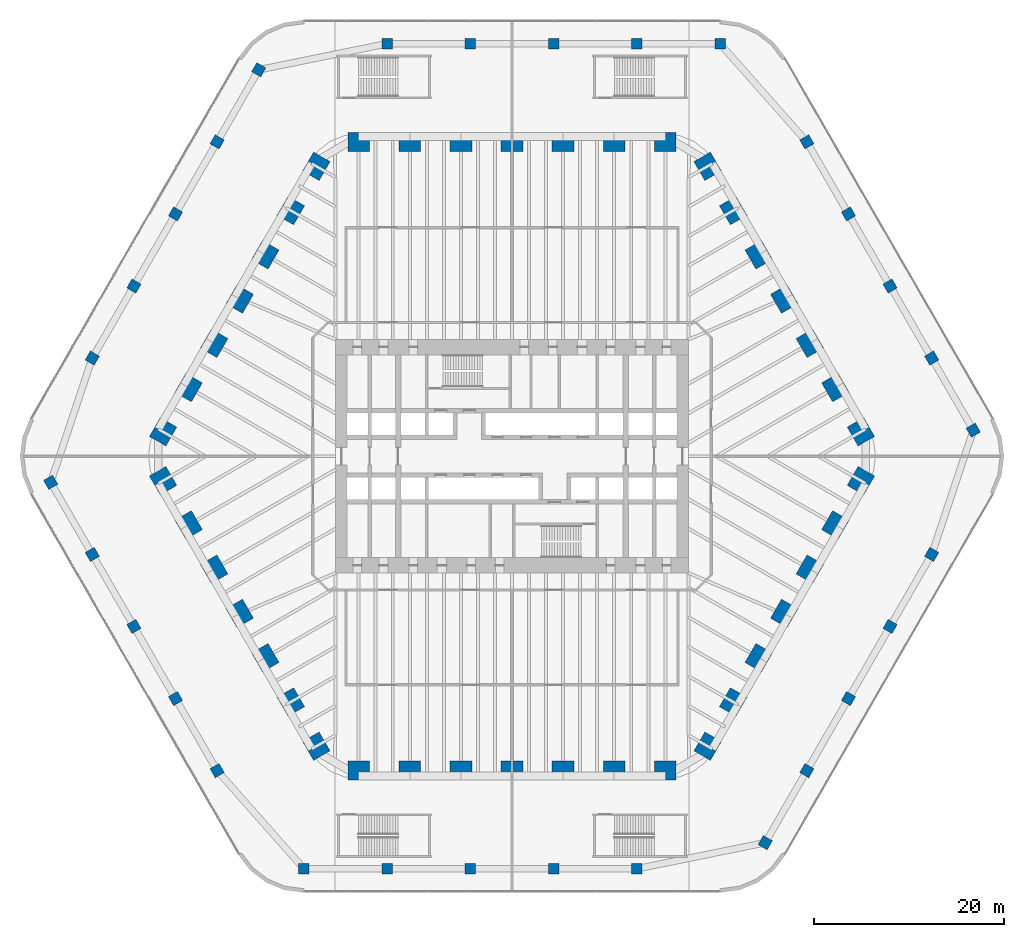
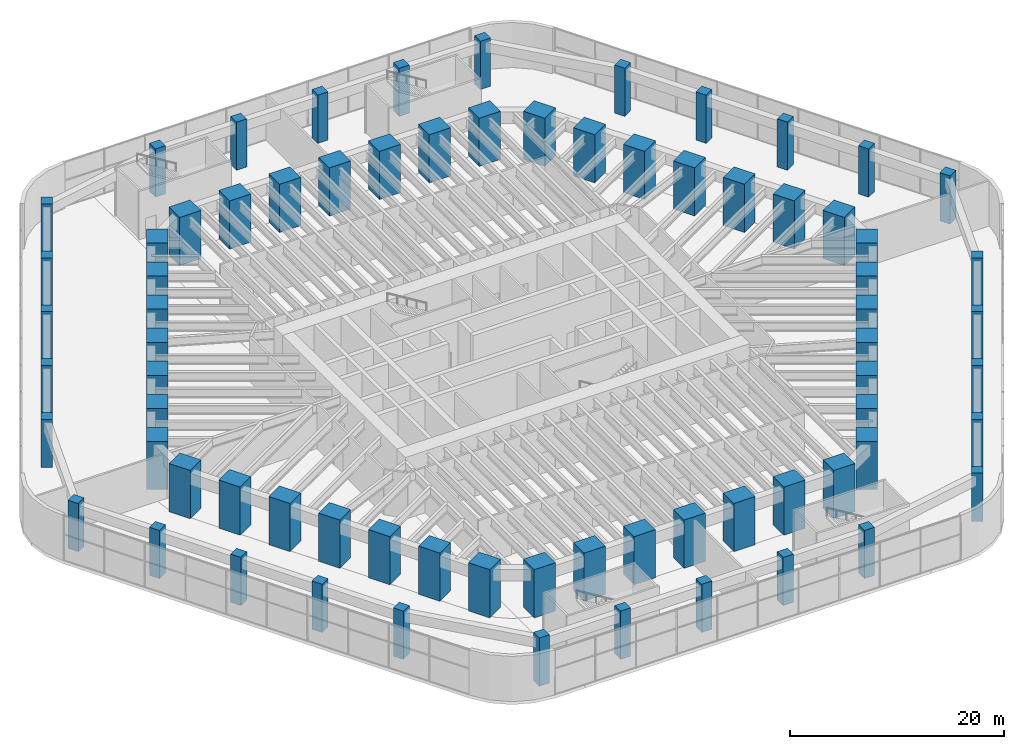
# One storey, part 1 of 31: 72 columns.
"""IFC4 building model written with IfcOpenShell, lengths in metres."""

import ifcopenshell
import ifcopenshell.guid

model = None  # the IFC model being written
_history = None  # IfcOwnerHistory: only IFC2X3 demands one
_inside = {}  # id of a spatial element -> (the spatial element, [elements in it])
_under = {}  # id of a project, library or spatial element -> (it, [spatial elements below it])
_declared = {}  # id of a project -> (the project, [libraries it declares])
_typed = {}  # id of a type object -> (the type object, [elements of that type])
_made_of = {}  # id of a material, layer set ... -> (it, [elements and type objects made of it])


def new_model(schema):
    """Start an empty IFC model of exactly this schema.

    Asked for "IFC4X3", IfcOpenShell would pick the latest addendum, in which some entities
    have other attributes; the version numbers below select the first issue.
    IFC2X3 requires an IfcOwnerHistory on every rooted entity: one is made here for all.
    """
    global model, _history
    if schema == "IFC4X3":
        model = ifcopenshell.file(schema_version=(4, 3, 0, 0))
    else:
        model = ifcopenshell.file(schema=schema)
    _inside.clear()
    _under.clear()
    _declared.clear()
    _typed.clear()
    _made_of.clear()
    _history = None
    if model.schema == "IFC2X3":
        org = make("IfcOrganization", Name="unknown")
        user = make(
            "IfcPersonAndOrganization",
            ThePerson=make("IfcPerson", FamilyName="unknown"),
            TheOrganization=org,
        )
        app = make(
            "IfcApplication",
            ApplicationDeveloper=org,
            Version="unknown",
            ApplicationFullName="unknown",
            ApplicationIdentifier="unknown",
        )
        _history = make(
            "IfcOwnerHistory",
            OwningUser=user,
            OwningApplication=app,
            ChangeAction="ADDED",
            CreationDate=0,
        )
    return model


def make(cls, **values):
    """One entity of the class cls with the attributes given. An attribute that is None is left unset."""
    return model.create_entity(
        cls, **{name: value for name, value in values.items() if value is not None}
    )


def rooted(cls, **values):
    """An entity with a GlobalId (a new one), such as an element, a storey or a relation."""
    return make(cls, GlobalId=ifcopenshell.guid.new(), OwnerHistory=_history, **values)


def si_unit(unit_type, name, prefix=None):
    """IfcSIUnit, for example si_unit("LENGTHUNIT", "METRE", prefix="MILLI")."""
    return make("IfcSIUnit", UnitType=unit_type, Prefix=prefix, Name=name)


def assignment(units):
    """IfcUnitAssignment: the units of a project."""
    return None if units is None else make("IfcUnitAssignment", Units=units)


def point(xyz):
    """IfcCartesianPoint."""
    return None if xyz is None else make("IfcCartesianPoint", Coordinates=xyz)


def direction(xyz):
    """IfcDirection."""
    return None if xyz is None else make("IfcDirection", DirectionRatios=xyz)


def frame(location, z_axis=None, x_axis=None):
    """IfcAxis2Placement3D, a coordinate frame: its origin and axes. An axis left out is left unset."""
    return make(
        "IfcAxis2Placement3D",
        Location=point(location),
        Axis=direction(z_axis),
        RefDirection=direction(x_axis),
    )


def frame_2d(location, x_axis=None):
    """IfcAxis2Placement2D, a coordinate frame in the plane: its origin and x axis."""
    return make(
        "IfcAxis2Placement2D", Location=point(location), RefDirection=direction(x_axis)
    )


def origin():
    """The frame at (0, 0, 0) with its axes left unset."""
    return frame((0.0, 0.0, 0.0))


def origin_2d():
    """The frame at (0, 0) in the plane with its x axis left unset."""
    return frame_2d((0.0, 0.0))


def place(relative_to, where):
    """IfcLocalPlacement: puts the frame where relative to a parent placement (None: the world)."""
    return make(
        "IfcLocalPlacement", PlacementRelTo=relative_to, RelativePlacement=where
    )


def context(
    kind, dimensions, precision=None, world=None, true_north=None, identifier=None
):
    """IfcGeometricRepresentationContext, for example the 3D "Model" context."""
    return make(
        "IfcGeometricRepresentationContext",
        ContextIdentifier=identifier,
        ContextType=kind,
        CoordinateSpaceDimension=dimensions,
        Precision=precision,
        WorldCoordinateSystem=world,
        TrueNorth=true_north,
    )


def subcontext(parent, identifier, kind, view, scale=None):
    """IfcGeometricRepresentationSubContext, for example "Body" below "Model"."""
    return make(
        "IfcGeometricRepresentationSubContext",
        ContextIdentifier=identifier,
        ContextType=kind,
        ParentContext=parent,
        TargetScale=scale,
        TargetView=view,
    )


def project(units=None, contexts=None):
    """IfcProject with its units and contexts."""
    return rooted(
        "IfcProject",
        Name="project",
        RepresentationContexts=contexts,
        UnitsInContext=assignment(units),
    )


def spatial(cls, under=None, at=None, **own):
    """A site, building, storey or space (cls), placed at a placement, below another one or the project."""
    s = rooted(cls, ObjectPlacement=at, **own)
    if under is not None:
        _under.setdefault(under.id(), (under, []))[1].append(s)
    return s


def profile(cls, at=None, kind="AREA", **sizes):
    """A parametric profile (cls). Its sizes go by their IFC names, for example OverallWidth=200.0."""
    return make(cls, ProfileType=kind, Position=at, **sizes)


def rectangle(**sizes):
    """IfcRectangleProfileDef."""
    return profile("IfcRectangleProfileDef", **sizes)


def extrude(swept, where, along, depth):
    """IfcExtrudedAreaSolid: the profile swept, set in the frame where, extruded along a direction by depth."""
    return make(
        "IfcExtrudedAreaSolid",
        SweptArea=swept,
        Position=where,
        ExtrudedDirection=direction(along),
        Depth=depth,
    )


def shape(context_of_items, identifier, shape_type, items):
    """IfcShapeRepresentation: the items that make up one representation, for example the "Body"."""
    return make(
        "IfcShapeRepresentation",
        ContextOfItems=context_of_items,
        RepresentationIdentifier=identifier,
        RepresentationType=shape_type,
        Items=items,
    )


def material(Name=None, Category=None):
    """IfcMaterial."""
    return make("IfcMaterial", Name=Name, Category=Category)


def material_profile(
    of_material, cross_section, Name=None, Category=None, Priority=None
):
    """IfcMaterialProfile: a cross section and its material."""
    return make(
        "IfcMaterialProfile",
        Name=Name,
        Material=of_material,
        Profile=cross_section,
        Priority=Priority,
        Category=Category,
    )


def profile_set(profiles, Name=None, composite=None):
    """IfcMaterialProfileSet."""
    return make(
        "IfcMaterialProfileSet",
        Name=Name,
        MaterialProfiles=profiles,
        CompositeProfile=composite,
    )


def made_of(thing, what):
    """Note that an element or type object is made of a material, layer set ...; save() writes the relation."""
    if what is not None:
        _made_of.setdefault(what.id(), (what, []))[1].append(thing)
    return thing


def type_object(cls, material=None, **own):
    """A type object (cls), such as IfcWallType, which elements share."""
    return made_of(rooted(cls, **own), material)


def element(
    cls,
    number,
    at=None,
    inside=None,
    cuts=None,
    type_object=None,
    material=None,
    context=None,
    identifier="Body",
    shape_type=None,
    held_by="IfcProductDefinitionShape",
    body=None,
    shapes=None,
    **own,
):
    """One element of the class cls, such as IfcWall. Its Tag is "e" and its number.

    at: its placement. inside: the storey or other place that contains it. cuts: it is an
    opening in that element (IfcRelVoidsElement). A single representation is given by context,
    identifier, shape_type and body (its items); several are given by shapes. held_by: the class
    of the entity that holds the representations. save() writes the other relations.
    """
    e = rooted(cls, Tag="e%d" % number, ObjectPlacement=at, **own)
    if body is not None:
        shapes = [shape(context, identifier, shape_type, body)]
    if shapes is not None:
        e.Representation = make(held_by, Representations=shapes)
    if inside is not None:
        _inside.setdefault(inside.id(), (inside, []))[1].append(e)
    if cuts is not None:
        rooted(
            "IfcRelVoidsElement", RelatingBuildingElement=cuts, RelatedOpeningElement=e
        )
    if type_object is not None:
        _typed.setdefault(type_object.id(), (type_object, []))[1].append(e)
    return made_of(e, material)


def aggregate(whole, parts):
    """IfcRelAggregates: a whole, such as a stair, and the parts it consists of."""
    return rooted("IfcRelAggregates", RelatingObject=whole, RelatedObjects=parts)


def save(model, path):
    """Write the relations noted so far, then the file.

    IfcRelAggregates (storeys below a building ...), IfcRelContainedInSpatialStructure (elements
    in a storey), IfcRelDefinesByType, IfcRelAssociatesMaterial and IfcRelDeclares: one each for
    every whole, place, type object, material and project.
    """
    for whole, parts in _under.values():
        aggregate(whole, parts)
    for where, things in _inside.values():
        rooted(
            "IfcRelContainedInSpatialStructure",
            RelatedElements=things,
            RelatingStructure=where,
        )
    for kind, things in _typed.values():
        rooted("IfcRelDefinesByType", RelatedObjects=things, RelatingType=kind)
    for what, things in _made_of.values():
        rooted("IfcRelAssociatesMaterial", RelatedObjects=things, RelatingMaterial=what)
    for by, libraries in _declared.values():
        rooted("IfcRelDeclares", RelatingContext=by, RelatedDefinitions=libraries)
    model.write(path)


model = new_model("IFC4")

# Units and contexts
model_context = context("Model", 3, precision=1e-05, world=origin(), true_north=direction((0.0, 1.0)))
body_context = subcontext(model_context, "Body", "Model", "MODEL_VIEW")
ifc_project = project(units=[si_unit("LENGTHUNIT", "METRE"), si_unit("AREAUNIT", "SQUARE_METRE"), si_unit("VOLUMEUNIT", "CUBIC_METRE"), si_unit("PLANEANGLEUNIT", "RADIAN"), si_unit("MASSUNIT", "GRAM", prefix="KILO")], contexts=[model_context])

# Site, building, storey
site_placement = place(None, origin())
site = spatial("IfcSite", under=ifc_project, at=site_placement, CompositionType="ELEMENT")
building_placement = place(site_placement, origin())
building = spatial("IfcBuilding", under=site, at=building_placement, Name="Tarfa Lantern Tower", CompositionType="ELEMENT")
storey_placement = place(building_placement, frame((0.0, 0.0, 13.0)))
storey = spatial("IfcBuildingStorey", under=building, at=storey_placement, Name="L02", CompositionType="ELEMENT", Elevation=13.0)

# Columns
ifc_material = material(Name="Concrete C80/95", Category="concrete")
ifc_material_profile_1 = material_profile(ifc_material, rectangle(XDim=1.10009765625, YDim=1.10009765625, at=origin_2d()), Name="RC 1100x1100")
ifc_profile_set_1 = profile_set([ifc_material_profile_1], Name="Concrete C80/95")
column_type_1 = type_object("IfcColumnType", Name="PC2 RC 1100x1100", PredefinedType="COLUMN", material=ifc_profile_set_1)
for number, where, z_axis, x_axis, name in (
    (1, (48.641845703125, 2.75, 0.0), (0.0, 0.0, 1.0), (-0.5, 0.866025403784, 0.0), "Podium column NE0"),
    (2, (44.25390625, 10.35009765625, 0.0), (0.0, 0.0, 1.0), (-0.5, 0.866025403784, 0.0), "Podium column NE1"),
    (3, (39.865966796875, 17.949951171875, 0.0), (0.0, 0.0, 1.0), (-0.5, 0.866025403784, 0.0), "Podium column NE2"),
    (4, (35.478271484375, 25.550048828125, 0.0), (0.0, 0.0, 1.0), (-0.5, 0.866025403784, 0.0), "Podium column NE3"),
    (5, (31.09033203125, 33.14990234375, 0.0), (0.0, 0.0, 1.0), (-0.5, 0.866025403784, 0.0), "Podium column NE4"),
    (6, (21.939208984375, 43.5, 0.0), (0.0, 0.0, 1.0), (-1.0, 0.0, 0.0), "Podium column N0"),
    (7, (13.16357421875, 43.5, 0.0), (0.0, 0.0, 1.0), (-1.0, 0.0, 0.0), "Podium column N1"),
    (8, (4.387939453125, 43.5, 0.0), (0.0, 0.0, 1.0), (-1.0, 0.0, 0.0), "Podium column N2"),
    (9, (-4.387939453125, 43.5, 0.0), (0.0, 0.0, 1.0), (-1.0, 0.0, 0.0), "Podium column N3"),
    (10, (-13.16357421875, 43.5, 0.0), (0.0, 0.0, 1.0), (-1.0, 0.0, 0.0), "Podium column N4"),
    (11, (-26.702392578125, 40.75, 0.0), (0.0, 0.0, 1.0), (-0.5, -0.866025403784, 0.0), "Podium column NW0"),
    (12, (-31.09033203125, 33.14990234375, 0.0), (0.0, 0.0, 1.0), (-0.5, -0.866025403784, 0.0), "Podium column NW1"),
    (13, (-35.478271484375, 25.550048828125, 0.0), (0.0, 0.0, 1.0), (-0.5, -0.866025403784, 0.0), "Podium column NW2"),
    (14, (-39.865966796875, 17.949951171875, 0.0), (0.0, 0.0, 1.0), (-0.5, -0.866025403784, 0.0), "Podium column NW3"),
    (15, (-44.25390625, 10.35009765625, 0.0), (0.0, 0.0, 1.0), (-0.5, -0.866025403784, 0.0), "Podium column NW4"),
    (16, (-48.641845703125, -2.75, 0.0), (0.0, 0.0, 1.0), (0.5, -0.866025403784, 0.0), "Podium column SW0"),
    (17, (-44.25390625, -10.35009765625, 0.0), (0.0, 0.0, 1.0), (0.5, -0.866025403784, 0.0), "Podium column SW1"),
    (18, (-39.865966796875, -17.949951171875, 0.0), (0.0, 0.0, 1.0), (0.5, -0.866025403784, 0.0), "Podium column SW2"),
    (19, (-35.478271484375, -25.550048828125, 0.0), (0.0, 0.0, 1.0), (0.5, -0.866025403784, 0.0), "Podium column SW3"),
    (20, (-31.09033203125, -33.14990234375, 0.0), (0.0, 0.0, 1.0), (0.5, -0.866025403784, 0.0), "Podium column SW4"),
    (21, (-21.939208984375, -43.5, 0.0), (0.0, 0.0, 1.0), (1.0, 0.0, 0.0), "Podium column S0"),
    (22, (-13.16357421875, -43.5, 0.0), (0.0, 0.0, 1.0), (1.0, 0.0, 0.0), "Podium column S1"),
    (23, (-4.387939453125, -43.5, 0.0), (0.0, 0.0, 1.0), (1.0, 0.0, 0.0), "Podium column S2"),
    (24, (4.387939453125, -43.5, 0.0), (0.0, 0.0, 1.0), (1.0, 0.0, 0.0), "Podium column S3"),
    (25, (13.16357421875, -43.5, 0.0), (0.0, 0.0, 1.0), (1.0, 0.0, 0.0), "Podium column S4"),
    (26, (26.702392578125, -40.75, 0.0), (0.0, 0.0, 1.0), (0.5, 0.866025403784, 0.0), "Podium column SE0"),
    (27, (31.09033203125, -33.14990234375, 0.0), (0.0, 0.0, 1.0), (0.5, 0.866025403784, 0.0), "Podium column SE1"),
    (28, (35.478271484375, -25.550048828125, 0.0), (0.0, 0.0, 1.0), (0.5, 0.866025403784, 0.0), "Podium column SE2"),
    (29, (39.865966796875, -17.949951171875, 0.0), (0.0, 0.0, 1.0), (0.5, 0.866025403784, 0.0), "Podium column SE3"),
    (30, (44.25390625, -10.35009765625, 0.0), (0.0, 0.0, 1.0), (0.5, 0.866025403784, 0.0), "Podium column SE4"),
):
    element("IfcColumn", number, at=place(storey_placement, frame(where, z_axis=z_axis, x_axis=x_axis)), inside=storey, type_object=column_type_1, Name=name, PredefinedType="COLUMN", context=body_context, shape_type="SweptSolid", body=[
        extrude(rectangle(XDim=1.10009765625, YDim=1.10009765625, at=origin_2d()), origin(), (0.0, 0.0, 1.0), 5.5),
    ])
ifc_material_profile_2 = material_profile(ifc_material, rectangle(XDim=2.300048828125, YDim=2.0, at=origin_2d()), Name="RC 2300x2000")
ifc_profile_set_2 = profile_set([ifc_material_profile_2], Name="Concrete C80/95")
column_type_2 = type_object("IfcColumnType", Name="TC1 RC 2300x2000", PredefinedType="COLUMN", material=ifc_profile_set_2)
for number, where, z_axis, x_axis, name in (
    (31, (36.791748046875, 2.574951171875, 0.0), (0.0, 0.0, 1.0), (-0.5, 0.866025403784, 0.0), "Tube column NE0"),
    (32, (34.097412109375, 7.24169921875, 0.0), (0.0, 0.0, 1.0), (-0.5, 0.866025403784, 0.0), "Tube column NE1"),
    (33, (31.403076171875, 11.908447265625, 0.0), (0.0, 0.0, 1.0), (-0.5, 0.866025403784, 0.0), "Tube column NE2"),
    (34, (28.708740234375, 16.574951171875, 0.0), (0.0, 0.0, 1.0), (-0.5, 0.866025403784, 0.0), "Tube column NE3"),
    (35, (26.014404296875, 21.24169921875, 0.0), (0.0, 0.0, 1.0), (-0.5, 0.866025403784, 0.0), "Tube column NE4"),
    (36, (23.320068359375, 25.908447265625, 0.0), (0.0, 0.0, 1.0), (-0.5, 0.866025403784, 0.0), "Tube column NE5"),
    (37, (20.625732421875, 30.574951171875, 0.0), (0.0, 0.0, 1.0), (-0.5, 0.866025403784, 0.0), "Tube column NE6"),
    (38, (16.165771484375, 33.14990234375, 0.0), (0.0, 0.0, 1.0), (-1.0, 0.0, 0.0), "Tube column N0"),
    (39, (10.777099609375, 33.14990234375, 0.0), (0.0, 0.0, 1.0), (-1.0, 0.0, 0.0), "Tube column N1"),
    (40, (5.388671875, 33.14990234375, 0.0), (0.0, 0.0, 1.0), (-1.0, 0.0, 0.0), "Tube column N2"),
    (41, (0.0, 33.14990234375, 0.0), (0.0, 0.0, 1.0), (-1.0, 0.0, 0.0), "Tube column N3"),
    (42, (-5.388671875, 33.14990234375, 0.0), (0.0, 0.0, 1.0), (-1.0, 0.0, 0.0), "Tube column N4"),
    (43, (-10.777099609375, 33.14990234375, 0.0), (0.0, 0.0, 1.0), (-1.0, 0.0, 0.0), "Tube column N5"),
    (44, (-16.165771484375, 33.14990234375, 0.0), (0.0, 0.0, 1.0), (-1.0, 0.0, 0.0), "Tube column N6"),
    (45, (-20.625732421875, 30.574951171875, 0.0), (0.0, 0.0, 1.0), (-0.5, -0.866025403784, 0.0), "Tube column NW0"),
    (46, (-23.320068359375, 25.908447265625, 0.0), (0.0, 0.0, 1.0), (-0.5, -0.866025403784, 0.0), "Tube column NW1"),
    (47, (-26.014404296875, 21.24169921875, 0.0), (0.0, 0.0, 1.0), (-0.5, -0.866025403784, 0.0), "Tube column NW2"),
    (48, (-28.708740234375, 16.574951171875, 0.0), (0.0, 0.0, 1.0), (-0.5, -0.866025403784, 0.0), "Tube column NW3"),
    (49, (-31.403076171875, 11.908447265625, 0.0), (0.0, 0.0, 1.0), (-0.5, -0.866025403784, 0.0), "Tube column NW4"),
    (50, (-34.097412109375, 7.24169921875, 0.0), (0.0, 0.0, 1.0), (-0.5, -0.866025403784, 0.0), "Tube column NW5"),
    (51, (-36.791748046875, 2.574951171875, 0.0), (0.0, 0.0, 1.0), (-0.5, -0.866025403784, 0.0), "Tube column NW6"),
    (52, (-36.791748046875, -2.574951171875, 0.0), (0.0, 0.0, 1.0), (0.5, -0.866025403784, 0.0), "Tube column SW0"),
    (53, (-34.097412109375, -7.24169921875, 0.0), (0.0, 0.0, 1.0), (0.5, -0.866025403784, 0.0), "Tube column SW1"),
    (54, (-31.403076171875, -11.908447265625, 0.0), (0.0, 0.0, 1.0), (0.5, -0.866025403784, 0.0), "Tube column SW2"),
    (55, (-28.708740234375, -16.574951171875, 0.0), (0.0, 0.0, 1.0), (0.5, -0.866025403784, 0.0), "Tube column SW3"),
    (56, (-26.014404296875, -21.24169921875, 0.0), (0.0, 0.0, 1.0), (0.5, -0.866025403784, 0.0), "Tube column SW4"),
    (57, (-23.320068359375, -25.908447265625, 0.0), (0.0, 0.0, 1.0), (0.5, -0.866025403784, 0.0), "Tube column SW5"),
    (58, (-20.625732421875, -30.574951171875, 0.0), (0.0, 0.0, 1.0), (0.5, -0.866025403784, 0.0), "Tube column SW6"),
    (59, (-16.165771484375, -33.14990234375, 0.0), (0.0, 0.0, 1.0), (1.0, 0.0, 0.0), "Tube column S0"),
    (60, (-10.777099609375, -33.14990234375, 0.0), (0.0, 0.0, 1.0), (1.0, 0.0, 0.0), "Tube column S1"),
    (61, (-5.388671875, -33.14990234375, 0.0), (0.0, 0.0, 1.0), (1.0, 0.0, 0.0), "Tube column S2"),
    (62, (0.0, -33.14990234375, 0.0), (0.0, 0.0, 1.0), (1.0, 0.0, 0.0), "Tube column S3"),
    (63, (5.388671875, -33.14990234375, 0.0), (0.0, 0.0, 1.0), (1.0, 0.0, 0.0), "Tube column S4"),
    (64, (10.777099609375, -33.14990234375, 0.0), (0.0, 0.0, 1.0), (1.0, 0.0, 0.0), "Tube column S5"),
    (65, (16.165771484375, -33.14990234375, 0.0), (0.0, 0.0, 1.0), (1.0, 0.0, 0.0), "Tube column S6"),
    (66, (20.625732421875, -30.574951171875, 0.0), (0.0, 0.0, 1.0), (0.5, 0.866025403784, 0.0), "Tube column SE0"),
    (67, (23.320068359375, -25.908447265625, 0.0), (0.0, 0.0, 1.0), (0.5, 0.866025403784, 0.0), "Tube column SE1"),
    (68, (26.014404296875, -21.24169921875, 0.0), (0.0, 0.0, 1.0), (0.5, 0.866025403784, 0.0), "Tube column SE2"),
    (69, (28.708740234375, -16.574951171875, 0.0), (0.0, 0.0, 1.0), (0.5, 0.866025403784, 0.0), "Tube column SE3"),
    (70, (31.403076171875, -11.908447265625, 0.0), (0.0, 0.0, 1.0), (0.5, 0.866025403784, 0.0), "Tube column SE4"),
    (71, (34.097412109375, -7.24169921875, 0.0), (0.0, 0.0, 1.0), (0.5, 0.866025403784, 0.0), "Tube column SE5"),
    (72, (36.791748046875, -2.574951171875, 0.0), (0.0, 0.0, 1.0), (0.5, 0.866025403784, 0.0), "Tube column SE6"),
):
    element("IfcColumn", number, at=place(storey_placement, frame(where, z_axis=z_axis, x_axis=x_axis)), inside=storey, type_object=column_type_2, Name=name, PredefinedType="COLUMN", context=body_context, shape_type="SweptSolid", body=[
        extrude(rectangle(XDim=2.300048828125, YDim=2.0, at=origin_2d()), origin(), (0.0, 0.0, 1.0), 5.5),
    ])

save(model, "model.ifc")
